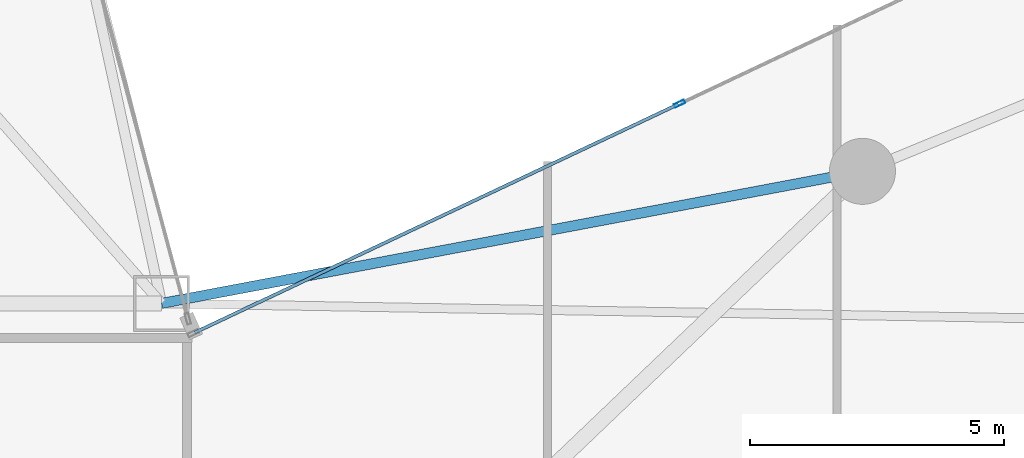
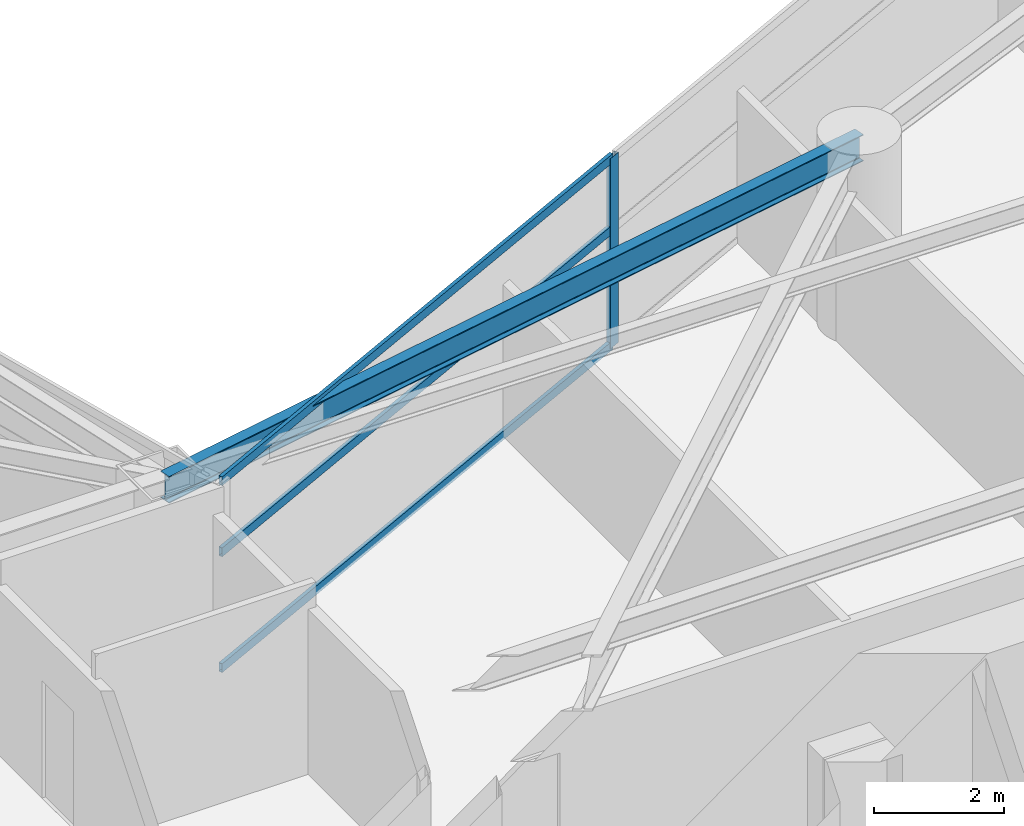
# One storey, part 11 of 30: 4 members, 1 beam, 1 element without a shape of its own.
"""IFC4 building model written with IfcOpenShell, lengths in metres."""

from ifc_helpers import new_model, si_unit, direction, frame, origin, origin_2d, place, context, subcontext, project, spatial, hollow_rectangle, i_section, extrude, material, layer, layer_set, material_profile, profile_set, type_object, element, aggregate, save


model = new_model("IFC4")

# Units and contexts
model_context = context("Model", 3, precision=1e-05, world=origin(), true_north=direction((0.0, 1.0)))
body_context = subcontext(model_context, "Body", "Model", "MODEL_VIEW")
ifc_project = project(units=[si_unit("LENGTHUNIT", "METRE"), si_unit("AREAUNIT", "SQUARE_METRE"), si_unit("VOLUMEUNIT", "CUBIC_METRE"), si_unit("PLANEANGLEUNIT", "RADIAN"), si_unit("MASSUNIT", "GRAM", prefix="KILO")], contexts=[model_context])

# Site, building, storey
site_placement = place(None, origin())
site = spatial("IfcSite", under=ifc_project, at=site_placement, CompositionType="ELEMENT")
building_placement = place(site_placement, origin())
building = spatial("IfcBuilding", under=site, at=building_placement, Name="Calvorn Quay Hotel", CompositionType="ELEMENT")
storey_placement = place(building_placement, frame((0.0, 0.0, 54.60009765625)))
storey = spatial("IfcBuildingStorey", under=building, at=storey_placement, Name="L12", CompositionType="ELEMENT", Elevation=54.60009765625)

# Beam
ifc_material_1 = material(Name="Steel Q355B", Category="steel")
ifc_material_profile_1 = material_profile(ifc_material_1, i_section(OverallWidth=0.199951171875, OverallDepth=0.5, WebThickness=0.010009765625, FlangeThickness=0.01611328125, FilletRadius=0.01611328125, at=origin_2d()), Name="HN500x200x10x16")
ifc_profile_set_1 = profile_set([ifc_material_profile_1], Name="Steel Q355B")
beam_type = type_object("IfcBeamType", Name="BM-SPANDREL-Z1", PredefinedType="SPANDREL", material=ifc_profile_set_1)
beam_placement = place(storey_placement, frame((34.800048828125, 27.60009765625, 3.289794921875), z_axis=(-0.982709432406, -0.185154452988, 0.0), x_axis=(0.185154452988, -0.982709432406, 0.0)))
element("IfcBeam", 1, at=beam_placement, inside=storey, type_object=beam_type, Name="Beam BSP-L12-E5", PredefinedType="SPANDREL", context=body_context, shape_type="SweptSolid", body=[
    extrude(i_section(OverallWidth=0.199951171875, OverallDepth=0.5, WebThickness=0.010009765625, FlangeThickness=0.01611328125, FilletRadius=0.01611328125, at=origin_2d()), origin(), (0.0, 0.0, 1.0), 14.04296875),
])

# Curtain wall, members
ifc_material_2 = material(Name="Pale Anodised Aluminium and Low-E Glass", Category="aluminium")
ifc_layer = layer(ifc_material_2, 0.219970703125)
ifc_layer_set = layer_set([ifc_layer], Name="CW-SYS-Z1")
curtain_wall_type = type_object("IfcCurtainWallType", Name="CW-SYS-Z1", PredefinedType="NOTDEFINED", material=ifc_layer_set)
curtain_wall_placement = place(storey_placement, origin())
curtain_wall = element("IfcCurtainWall", 2, at=curtain_wall_placement, inside=storey, type_object=curtain_wall_type, Name="Inner Court Curtain Wall L12-NE1", PredefinedType="NOTDEFINED")
ifc_material_3 = material(Name="Pale Anodised Aluminium 6063-T6", Category="aluminium")
ifc_material_profile_2 = material_profile(ifc_material_3, hollow_rectangle(XDim=0.074951171875, YDim=0.219970703125, WallThickness=0.00439453125, at=origin_2d()), Name="ALU-M220x75x4.5")
ifc_profile_set_2 = profile_set([ifc_material_profile_2], Name="Pale Anodised Aluminium 6063-T6")
member_type_1 = type_object("IfcMemberType", Name="CW-SYS-Z1-MUL", PredefinedType="MULLION", material=ifc_profile_set_2)
member_1_placement = place(storey_placement, frame((31.199951171875, 28.933349609375, 0.0), z_axis=(0.0, 0.0, 1.0), x_axis=(0.427006305415, -0.904248646743, 0.0)))
member_1 = element("IfcMember", 3, at=member_1_placement, type_object=member_type_1, Name="CW-L12-NE1 mullion 3", PredefinedType="MULLION", context=body_context, shape_type="SweptSolid", body=[
    extrude(hollow_rectangle(XDim=0.074951171875, YDim=0.219970703125, WallThickness=0.00439453125, at=origin_2d()), origin(), (0.0, 0.0, 1.0), 3.559814453125),
])
ifc_material_4 = material(Name="Pale Anodised Aluminium 6063-T6", Category="aluminium")
ifc_material_profile_3 = material_profile(ifc_material_4, hollow_rectangle(XDim=0.06494140625, YDim=0.1650390625, WallThickness=0.00341796875, at=origin_2d()), Name="ALU-T165x65x3.5")
ifc_profile_set_3 = profile_set([ifc_material_profile_3], Name="Pale Anodised Aluminium 6063-T6")
member_type_2 = type_object("IfcMemberType", Name="CW-SYS-Z1-TRN", PredefinedType="USERDEFINED", material=ifc_profile_set_3)
member_2_placement = place(storey_placement, frame((31.1728515625, 28.92041015625, 0.02978515625), z_axis=(-0.904248646746, -0.427006305408, 0.0), x_axis=(0.427006305408, -0.904248646746, 0.0)))
member_2 = element("IfcMember", 4, at=member_2_placement, type_object=member_type_2, Name="CW-L12-NE1 transom 3.1", ObjectType="TRANSOM", PredefinedType="USERDEFINED", context=body_context, shape_type="SweptSolid", body=[
    extrude(hollow_rectangle(XDim=0.06494140625, YDim=0.1650390625, WallThickness=0.00341796875, at=origin_2d()), origin(), (0.0, 0.0, 1.0), 10.5263671875),
])
member_3_placement = place(storey_placement, frame((31.1728515625, 28.92041015625, 2.199951171875), z_axis=(-0.904248646746, -0.427006305408, 0.0), x_axis=(0.427006305408, -0.904248646746, 0.0)))
member_3 = element("IfcMember", 5, at=member_3_placement, type_object=member_type_2, Name="CW-L12-NE1 transom 3.2", ObjectType="TRANSOM", PredefinedType="USERDEFINED", context=body_context, shape_type="SweptSolid", body=[
    extrude(hollow_rectangle(XDim=0.06494140625, YDim=0.1650390625, WallThickness=0.00341796875, at=origin_2d()), origin(), (0.0, 0.0, 1.0), 10.5263671875),
])
member_4_placement = place(storey_placement, frame((31.1728515625, 28.92041015625, 3.52978515625), z_axis=(-0.904248646746, -0.427006305408, 0.0), x_axis=(0.427006305408, -0.904248646746, 0.0)))
member_4 = element("IfcMember", 6, at=member_4_placement, type_object=member_type_2, Name="CW-L12-NE1 transom 3.3", ObjectType="TRANSOM", PredefinedType="USERDEFINED", context=body_context, shape_type="SweptSolid", body=[
    extrude(hollow_rectangle(XDim=0.06494140625, YDim=0.1650390625, WallThickness=0.00341796875, at=origin_2d()), origin(), (0.0, 0.0, 1.0), 10.5263671875),
])
aggregate(curtain_wall, [member_1, member_2, member_3, member_4])

save(model, "model.ifc")
